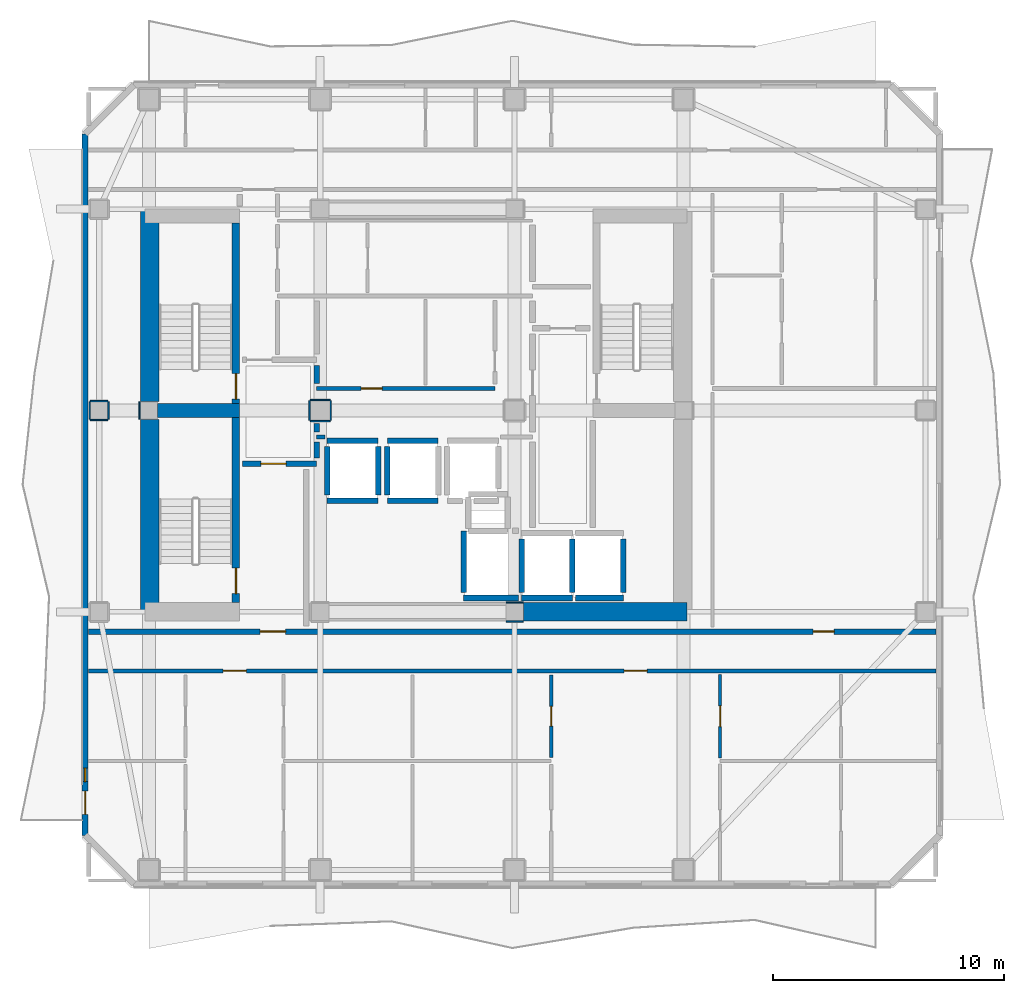
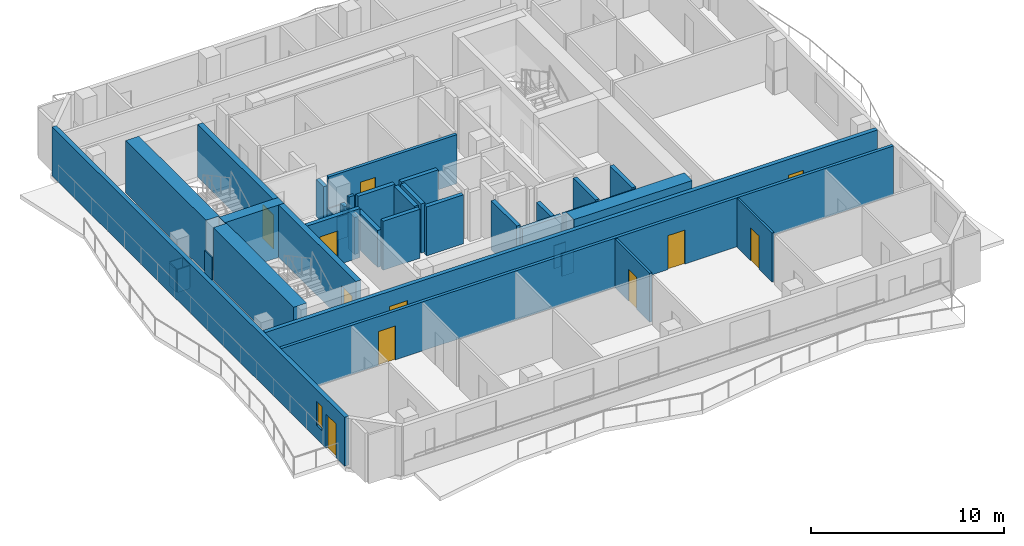
# One storey, part 3 of 9: 42 walls, 11 doors, 1 window, 12 openings.
"""IFC4 building model written with IfcOpenShell, lengths in metres."""

from ifc_helpers import new_model, si_unit, direction, frame, frame_2d, origin, place, context, subcontext, project, spatial, rectangle, extrude, material, layer, layer_set, type_object, element, fill, save


model = new_model("IFC4")

# Units and contexts
model_context = context("Model", 3, precision=1e-05, world=origin(), true_north=direction((0.0, 1.0)))
body_context = subcontext(model_context, "Body", "Model", "MODEL_VIEW")
ifc_project = project(units=[si_unit("LENGTHUNIT", "METRE"), si_unit("AREAUNIT", "SQUARE_METRE"), si_unit("VOLUMEUNIT", "CUBIC_METRE"), si_unit("PLANEANGLEUNIT", "RADIAN"), si_unit("MASSUNIT", "GRAM", prefix="KILO")], contexts=[model_context])

# Site, building, storey
site_placement = place(None, origin())
site = spatial("IfcSite", under=ifc_project, at=site_placement, CompositionType="ELEMENT")
building_placement = place(site_placement, origin())
building = spatial("IfcBuilding", under=site, at=building_placement, Name="Solanera Arch Residences", CompositionType="ELEMENT")
storey_placement = place(building_placement, frame((0.0, 0.0, 216.719970703125)))
storey = spatial("IfcBuildingStorey", under=building, at=storey_placement, Name="L63", CompositionType="ELEMENT", Elevation=216.719970703125)

# Walls
ifc_material_1 = material(Name="Fire-Rated Gypsum Stud Partition", Category="gypsum")
ifc_layer_1 = layer(ifc_material_1, 0.06005859375)
ifc_layer_set_1 = layer_set([ifc_layer_1], Name="Fire-Rated Gypsum Stud Partition")
wall_type_1 = type_object("IfcWallType", Name="Column Acoustic Furring Wall 60", PredefinedType="PARTITIONING", material=ifc_layer_set_1)
for number, where, z_axis, x_axis, name in (
    (1, (28.8330078125, 21.593017578125, 0.0), (0.0, 0.0, 1.0), (1.0, 0.0, 0.0), "L63 Column Furring 2S"),
    (2, (28.8330078125, 22.406982421875, 0.0), (0.0, 0.0, 1.0), (1.0, 0.0, 0.0), "L63 Column Furring 2N"),
):
    element("IfcWall", number, at=place(storey_placement, frame(where, z_axis=z_axis, x_axis=x_axis)), inside=storey, type_object=wall_type_1, Name=name, PredefinedType="PARTITIONING", context=body_context, shape_type="SweptSolid", body=[
        extrude(rectangle(XDim=0.73388671875, YDim=0.06005859375, at=frame_2d((0.366943359375, 0.0))), origin(), (0.0, 0.0, 1.0), 1.449951171875),
    ])
wall_1_placement = place(storey_placement, frame((12.992919921875, 30.324951171875, 0.0), z_axis=(0.0, 0.0, 1.0), x_axis=(0.0, 1.0, 0.0)))
element("IfcWall", 3, at=wall_1_placement, inside=storey, type_object=wall_type_1, Name="L63 Column Furring 5W", PredefinedType="PARTITIONING", context=body_context, shape_type="SweptSolid", body=[
    extrude(rectangle(XDim=0.75, YDim=0.06005859375, at=frame_2d((0.375, 0.0))), origin(), (0.0, 0.0, 1.0), 1.449951171875),
])
for number, where, z_axis, x_axis, name in (
    (4, (20.375, 30.242919921875, 0.0), (0.0, 0.0, 1.0), (1.0, 0.0, 0.0), "L63 Column Furring 7S"),
    (5, (20.375, 31.156982421875, 0.0), (0.0, 0.0, 1.0), (1.0, 0.0, 0.0), "L63 Column Furring 7N"),
    (6, (20.343017578125, 30.27490234375, 0.0), (0.0, 0.0, 1.0), (0.0, 1.0, 0.0), "L63 Column Furring 7W"),
    (7, (21.257080078125, 30.27490234375, 0.0), (0.0, 0.0, 1.0), (0.0, 1.0, 0.0), "L63 Column Furring 7E"),
):
    element("IfcWall", number, at=place(storey_placement, frame(where, z_axis=z_axis, x_axis=x_axis)), inside=storey, type_object=wall_type_1, Name=name, PredefinedType="PARTITIONING", context=body_context, shape_type="SweptSolid", body=[
        extrude(rectangle(XDim=0.85009765625, YDim=0.06005859375, at=frame_2d((0.425048828125, 0.0))), origin(), (0.0, 0.0, 1.0), 1.449951171875),
    ])
for number, where, z_axis, x_axis, name in (
    (8, (10.875, 30.29296875, 0.0), (0.0, 0.0, 1.0), (1.0, 0.0, 0.0), "L63 Column Furring 19S"),
    (9, (10.875, 31.10693359375, 0.0), (0.0, 0.0, 1.0), (1.0, 0.0, 0.0), "L63 Column Furring 19N"),
    (10, (10.843017578125, 30.324951171875, 0.0), (0.0, 0.0, 1.0), (0.0, 1.0, 0.0), "L63 Column Furring 19W"),
    (11, (11.656982421875, 30.324951171875, 0.0), (0.0, 0.0, 1.0), (0.0, 1.0, 0.0), "L63 Column Furring 19E"),
):
    element("IfcWall", number, at=place(storey_placement, frame(where, z_axis=z_axis, x_axis=x_axis)), inside=storey, type_object=wall_type_1, Name=name, PredefinedType="PARTITIONING", context=body_context, shape_type="SweptSolid", body=[
        extrude(rectangle(XDim=0.75, YDim=0.06005859375, at=frame_2d((0.375, 0.0))), origin(), (0.0, 0.0, 1.0), 1.449951171875),
    ])

# Wall, opening, door
ifc_material_2 = material(Name="Concrete C40/50 (f'c = 45 MPa)", Category="concrete")
ifc_layer_2 = layer(ifc_material_2, 0.320068359375)
ifc_layer_set_2 = layer_set([ifc_layer_2], Name="Concrete C40/50 (f'c = 45 MPa)")
wall_type_2 = type_object("IfcWallType", Name="Core Shear Wall CW-320", PredefinedType="SHEAR", material=ifc_layer_set_2)
wall_2_placement = place(storey_placement, frame((17.159912109375, 31.0, 0.0), z_axis=(0.0, 0.0, 1.0), x_axis=(0.0, 1.0, 0.0)))
wall_2 = element("IfcWall", 12, at=wall_2_placement, inside=storey, type_object=wall_type_2, Name="L63 Stair ST-T1 East Shear Wall", PredefinedType="SHEAR", context=body_context, shape_type="SweptSolid", body=[
    extrude(rectangle(XDim=7.800048828125, YDim=0.320068359375, at=frame_2d((3.89990234375, 0.0))), origin(), (0.0, 0.0, 1.0), 3.320068359375),
])
opening_1_placement = place(wall_2_placement, frame((0.18994140625, 0.0, 0.0)))
opening_1 = element("IfcOpeningElement", 13, at=opening_1_placement, cuts=wall_2, Name="Opening DF-01", PredefinedType="OPENING", context=body_context, shape_type="SweptSolid", body=[
    extrude(rectangle(XDim=1.10009765625, YDim=2.14990234375, at=frame_2d((0.550048828125, 1.074951171875))), frame((0.0, 0.169921875, 0.0), z_axis=(0.0, -1.0, 0.0), x_axis=(1.0, 0.0, 0.0)), (0.0, 0.0, 1.0), 0.3401),
])
ifc_material_3 = material(Name="Fire-Rated Architectural Hardwood", Category="wood")
door_type_1 = type_object("IfcDoorType", Name="Stair Exit Fire Door DF-01", OperationType="NOTDEFINED", PredefinedType="DOOR", material=ifc_material_3)
door_1_placement = place(opening_1_placement, origin())
door_1 = element("IfcDoor", 14, at=door_1_placement, inside=storey, type_object=door_type_1, Name="DR-L63-STAIR-ST-T1", OperationType="SINGLE_SWING_RIGHT", OverallHeight=2.14990234375, OverallWidth=1.10009765625, PredefinedType="DOOR", context=body_context, shape_type="SweptSolid", body=[
    extrude(rectangle(XDim=1.10009765625, YDim=2.14990234375, at=frame_2d((0.550048828125, 1.074951171875))), frame((0.0, 0.02490234375, 0.0), z_axis=(0.0, -1.0, 0.0), x_axis=(1.0, 0.0, 0.0)), (0.0, 0.0, 1.0), 0.050048828125),
])
fill(opening_1, door_1)

wall_3_placement = place(storey_placement, frame((17.159912109375, 22.39990234375, 0.0), z_axis=(0.0, 0.0, 1.0), x_axis=(0.0, 1.0, 0.0)))
wall_3 = element("IfcWall", 15, at=wall_3_placement, inside=storey, type_object=wall_type_2, Name="L63 Stair ST-T3 East Shear Wall", PredefinedType="SHEAR", context=body_context, shape_type="SweptSolid", body=[
    extrude(rectangle(XDim=8.0, YDim=0.320068359375, at=frame_2d((4.0, 0.0))), origin(), (0.0, 0.0, 1.0), 3.320068359375),
])
opening_2_placement = place(wall_3_placement, frame((0.389892578125, 0.0, 0.0)))
opening_2 = element("IfcOpeningElement", 16, at=opening_2_placement, cuts=wall_3, Name="Opening DF-01", PredefinedType="OPENING", context=body_context, shape_type="SweptSolid", body=[
    extrude(rectangle(XDim=1.10009765625, YDim=2.14990234375, at=frame_2d((0.550048828125, 1.074951171875))), frame((0.0, 0.169921875, 0.0), z_axis=(0.0, -1.0, 0.0), x_axis=(1.0, 0.0, 0.0)), (0.0, 0.0, 1.0), 0.3401),
])
door_2_placement = place(opening_2_placement, origin())
door_2 = element("IfcDoor", 17, at=door_2_placement, inside=storey, type_object=door_type_1, Name="DR-L63-STAIR-ST-T3", OperationType="SINGLE_SWING_RIGHT", OverallHeight=2.14990234375, OverallWidth=1.10009765625, PredefinedType="DOOR", context=body_context, shape_type="SweptSolid", body=[
    extrude(rectangle(XDim=1.10009765625, YDim=2.14990234375, at=frame_2d((0.550048828125, 1.074951171875))), frame((0.0, 0.02490234375, 0.0), z_axis=(0.0, -1.0, 0.0), x_axis=(1.0, 0.0, 0.0)), (0.0, 0.0, 1.0), 0.050048828125),
])
fill(opening_2, door_2)

# Walls
ifc_material_4 = material(Name="Concrete C40/50 (f'c = 45 MPa)", Category="concrete")
ifc_layer_3 = layer(ifc_material_4, 0.60009765625)
ifc_layer_set_3 = layer_set([ifc_layer_3], Name="Concrete C40/50 (f'c = 45 MPa)")
wall_type_3 = type_object("IfcWallType", Name="Core Shear Wall CW-600", PredefinedType="SHEAR", material=ifc_layer_set_3)
wall_4_placement = place(storey_placement, frame((13.780029296875, 30.699951171875, 0.0), z_axis=(0.0, 0.0, 1.0), x_axis=(1.0, 0.0, 0.0)))
element("IfcWall", 18, at=wall_4_placement, inside=storey, type_object=wall_type_3, Name="L63 West Stair Divider Shear Wall", PredefinedType="SHEAR", context=body_context, shape_type="SweptSolid", body=[
    extrude(rectangle(XDim=3.5400390625, YDim=0.60009765625, at=frame_2d((1.77001953125, 0.0))), origin(), (0.0, 0.0, 1.0), 3.320068359375),
])
ifc_material_5 = material(Name="Concrete C40/50 (f'c = 45 MPa)", Category="concrete")
ifc_layer_4 = layer(ifc_material_5, 0.800048828125)
ifc_layer_set_4 = layer_set([ifc_layer_4], Name="Concrete C40/50 (f'c = 45 MPa)")
wall_type_4 = type_object("IfcWallType", Name="Core Shear Wall CW-800", PredefinedType="SHEAR", material=ifc_layer_set_4)
wall_5_placement = place(storey_placement, frame((13.43994140625, 22.0, 0.0), z_axis=(0.0, 0.0, 1.0), x_axis=(0.0, 1.0, 0.0)))
element("IfcWall", 19, at=wall_5_placement, inside=storey, type_object=wall_type_4, Name="L63 West Core South Shear Wall", PredefinedType="SHEAR", context=body_context, shape_type="SweptSolid", body=[
    extrude(rectangle(XDim=8.320068359375, YDim=0.800048828125, at=frame_2d((4.16015625, 0.0))), origin(), (0.0, 0.0, 1.0), 3.320068359375),
])
wall_6_placement = place(storey_placement, frame((13.43994140625, 31.080078125, 0.0), z_axis=(0.0, 0.0, 1.0), x_axis=(0.0, 1.0, 0.0)))
element("IfcWall", 20, at=wall_6_placement, inside=storey, type_object=wall_type_4, Name="L63 West Core North Shear Wall", PredefinedType="SHEAR", context=body_context, shape_type="SweptSolid", body=[
    extrude(rectangle(XDim=8.31982421875, YDim=0.800048828125, at=frame_2d((4.159912109375, 0.0))), origin(), (0.0, 0.0, 1.0), 3.320068359375),
])
wall_7_placement = place(storey_placement, frame((29.580078125, 22.0, 0.0), z_axis=(0.0, 0.0, 1.0), x_axis=(1.0, 0.0, 0.0)))
element("IfcWall", 21, at=wall_7_placement, inside=storey, type_object=wall_type_4, Name="L63 South-East Core Shear Wall", PredefinedType="SHEAR", context=body_context, shape_type="SweptSolid", body=[
    extrude(rectangle(XDim=7.079833984375, YDim=0.800048828125, at=frame_2d((3.5400390625, 0.0))), origin(), (0.0, 0.0, 1.0), 3.320068359375),
])

# Wall, openings, doors
ifc_material_6 = material(Name="Autoclaved Aerated Concrete Blockwork", Category="masonry")
ifc_layer_5 = layer(ifc_material_6, 0.179931640625)
ifc_layer_set_5 = layer_set([ifc_layer_5], Name="Autoclaved Aerated Concrete Blockwork")
wall_type_5 = type_object("IfcWallType", Name="Corridor Fire Partition 180", PredefinedType="PARTITIONING", material=ifc_layer_set_5)
wall_8_placement = place(storey_placement, frame((10.787109375, 19.449951171875, 0.0), z_axis=(0.0, 0.0, 1.0), x_axis=(1.0, 0.0, 0.0)))
wall_8 = element("IfcWall", 22, at=wall_8_placement, inside=storey, type_object=wall_type_5, Name="L63 Interior Partition H6", PredefinedType="PARTITIONING", context=body_context, shape_type="SweptSolid", body=[
    extrude(rectangle(XDim=36.6259765625, YDim=0.179931640625, at=frame_2d((18.31298828125, 0.0))), origin(), (0.0, 0.0, 1.0), 3.10009765625),
])
opening_3_placement = place(wall_8_placement, frame((5.820068359375, 0.0, 0.0)))
opening_3 = element("IfcOpeningElement", 23, at=opening_3_placement, cuts=wall_8, Name="Opening DI-01", PredefinedType="OPENING", context=body_context, shape_type="SweptSolid", body=[
    extrude(rectangle(XDim=1.0, YDim=2.14990234375, at=frame_2d((0.5, 1.074951171875))), frame((0.0, 0.10009765625, 0.0), z_axis=(0.0, -1.0, 0.0), x_axis=(1.0, 0.0, 0.0)), (0.0, 0.0, 1.0), 0.1999),
])
opening_4_placement = place(wall_8_placement, frame((23.14306640625, 0.0, 0.0)))
opening_4 = element("IfcOpeningElement", 24, at=opening_4_placement, cuts=wall_8, Name="Opening DI-01", PredefinedType="OPENING", context=body_context, shape_type="SweptSolid", body=[
    extrude(rectangle(XDim=1.0, YDim=2.14990234375, at=frame_2d((0.5, 1.074951171875))), frame((0.0, 0.10009765625, 0.0), z_axis=(0.0, -1.0, 0.0), x_axis=(1.0, 0.0, 0.0)), (0.0, 0.0, 1.0), 0.1999),
])
ifc_material_7 = material(Name="Fire-Rated Architectural Hardwood", Category="wood")
door_type_2 = type_object("IfcDoorType", Name="Unit Entrance Fire Door DI-01", OperationType="NOTDEFINED", PredefinedType="DOOR", material=ifc_material_7)
door_3_placement = place(opening_3_placement, origin())
door_3 = element("IfcDoor", 25, at=door_3_placement, inside=storey, type_object=door_type_2, Name="DR-L63-IN-014", OperationType="SINGLE_SWING_LEFT", OverallHeight=2.14990234375, OverallWidth=1.0, PredefinedType="DOOR", context=body_context, shape_type="SweptSolid", body=[
    extrude(rectangle(XDim=1.0, YDim=2.14990234375, at=frame_2d((0.5, 1.074951171875))), frame((0.0, 0.02490234375, 0.0), z_axis=(0.0, -1.0, 0.0), x_axis=(1.0, 0.0, 0.0)), (0.0, 0.0, 1.0), 0.050048828125),
])
fill(opening_3, door_3)
door_4_placement = place(opening_4_placement, origin())
door_4 = element("IfcDoor", 26, at=door_4_placement, inside=storey, type_object=door_type_2, Name="DR-L63-IN-019", OperationType="SINGLE_SWING_RIGHT", OverallHeight=2.14990234375, OverallWidth=1.0, PredefinedType="DOOR", context=body_context, shape_type="SweptSolid", body=[
    extrude(rectangle(XDim=1.0, YDim=2.14990234375, at=frame_2d((0.5, 1.074951171875))), frame((0.0, 0.02490234375, 0.0), z_axis=(0.0, -1.0, 0.0), x_axis=(1.0, 0.0, 0.0)), (0.0, 0.0, 1.0), 0.050048828125),
])
fill(opening_4, door_4)

# Wall
wall_9_placement = place(storey_placement, frame((20.64990234375, 29.550048828125, 0.0), z_axis=(0.0, 0.0, 1.0), x_axis=(1.0, 0.0, 0.0)))
element("IfcWall", 27, at=wall_9_placement, inside=storey, type_object=wall_type_5, Name="L63 Interior Partition H7 1", PredefinedType="PARTITIONING", context=body_context, shape_type="SweptSolid", body=[
    extrude(rectangle(XDim=0.357177734375, YDim=0.179931640625, at=frame_2d((0.1787109375, 0.0))), origin(), (0.0, 0.0, 1.0), 3.10009765625),
])

# Wall, opening, door
wall_10_placement = place(storey_placement, frame((20.64990234375, 31.64990234375, 0.0), z_axis=(0.0, 0.0, 1.0), x_axis=(1.0, 0.0, 0.0)))
wall_10 = element("IfcWall", 28, at=wall_10_placement, inside=storey, type_object=wall_type_5, Name="L63 Interior Partition H8", PredefinedType="PARTITIONING", context=body_context, shape_type="SweptSolid", body=[
    extrude(rectangle(XDim=7.7001953125, YDim=0.179931640625, at=frame_2d((3.85009765625, 0.0))), origin(), (0.0, 0.0, 1.0), 3.10009765625),
])
opening_5_placement = place(wall_10_placement, frame((1.924072265625, 0.0, 0.0)))
opening_5 = element("IfcOpeningElement", 29, at=opening_5_placement, cuts=wall_10, Name="Opening DI-02", PredefinedType="OPENING", context=body_context, shape_type="SweptSolid", body=[
    extrude(rectangle(XDim=0.89990234375, YDim=2.10009765625, at=frame_2d((0.449951171875, 1.050048828125))), frame((0.0, 0.10009765625, 0.0), z_axis=(0.0, -1.0, 0.0), x_axis=(1.0, 0.0, 0.0)), (0.0, 0.0, 1.0), 0.1999),
])
ifc_material_8 = material(Name="Fire-Rated Architectural Hardwood", Category="wood")
door_type_3 = type_object("IfcDoorType", Name="Suite Room Swing Door DI-02", OperationType="NOTDEFINED", PredefinedType="DOOR", material=ifc_material_8)
door_5_placement = place(opening_5_placement, origin())
door_5 = element("IfcDoor", 30, at=door_5_placement, inside=storey, type_object=door_type_3, Name="DR-L63-IN-012", OperationType="SINGLE_SWING_LEFT", OverallHeight=2.10009765625, OverallWidth=0.89990234375, PredefinedType="DOOR", context=body_context, shape_type="SweptSolid", body=[
    extrude(rectangle(XDim=0.89990234375, YDim=2.10009765625, at=frame_2d((0.449951171875, 1.050048828125))), frame((0.0, 0.02490234375, 0.0), z_axis=(0.0, -1.0, 0.0), x_axis=(1.0, 0.0, 0.0)), (0.0, 0.0, 1.0), 0.050048828125),
])
fill(opening_5, door_5)

# Wall, openings, door, window
ifc_material_9 = material(Name="Precast Concrete C35/45", Category="concrete")
ifc_layer_6 = layer(ifc_material_9, 0.260009765625)
ifc_layer_set_6 = layer_set([ifc_layer_6], Name="Precast Concrete C35/45")
wall_type_6 = type_object("IfcWallType", Name="Exterior Wall Precast Masonry-Frame 260", PredefinedType="STANDARD", material=ifc_layer_set_6)
wall_11_placement = place(storey_placement, frame((10.64501953125, 12.344970703125, 0.0), z_axis=(0.0, 0.0, 1.0), x_axis=(0.0, 1.0, 0.0)))
wall_11 = element("IfcWall", 31, at=wall_11_placement, inside=storey, type_object=wall_type_6, Name="L63 Tower Exterior Precast Masonry-Frame Wall W", PredefinedType="STANDARD", context=body_context, shape_type="SweptSolid", body=[
    extrude(rectangle(XDim=30.31005859375, YDim=0.260009765625, at=frame_2d((15.155029296875, 0.0))), origin(), (0.0, 0.0, 1.0), 3.10009765625),
])
opening_6_placement = place(wall_11_placement, frame((0.909912109375, 0.0, 0.0)))
opening_6 = element("IfcOpeningElement", 32, at=opening_6_placement, cuts=wall_11, Name="Opening DB-01", PredefinedType="OPENING", context=body_context, shape_type="SweptSolid", body=[
    extrude(rectangle(XDim=1.0, YDim=2.14990234375, at=frame_2d((0.5, 1.074951171875))), frame((0.0, 0.139892578125, 0.0), z_axis=(0.0, -1.0, 0.0), x_axis=(1.0, 0.0, 0.0)), (0.0, 0.0, 1.0), 0.28),
])
opening_7_placement = place(wall_11_placement, frame((2.322021484375, 0.0, 0.85009765625)))
opening_7 = element("IfcOpeningElement", 33, at=opening_7_placement, cuts=wall_11, Name="Opening W-14", PredefinedType="OPENING", context=body_context, shape_type="SweptSolid", body=[
    extrude(rectangle(XDim=0.580078125, YDim=1.5, at=frame_2d((0.2900390625, 0.75))), frame((0.0, 0.139892578125, 0.0), z_axis=(0.0, -1.0, 0.0), x_axis=(1.0, 0.0, 0.0)), (0.0, 0.0, 1.0), 0.28),
])
ifc_material_10 = material(Name="Anodised Aluminium Alloy 6063-T6", Category="aluminium")
door_type_4 = type_object("IfcDoorType", Name="Glazed Balcony Swing Door DB-01", OperationType="NOTDEFINED", PredefinedType="DOOR", material=ifc_material_10)
door_6_placement = place(opening_6_placement, origin())
door_6 = element("IfcDoor", 34, at=door_6_placement, inside=storey, type_object=door_type_4, Name="DR-L63-OUT-04", OperationType="SINGLE_SWING_RIGHT", OverallHeight=2.14990234375, OverallWidth=1.0, PredefinedType="DOOR", context=body_context, shape_type="SweptSolid", body=[
    extrude(rectangle(XDim=1.0, YDim=2.14990234375, at=frame_2d((0.5, 1.074951171875))), frame((0.0, 0.02490234375, 0.0), z_axis=(0.0, -1.0, 0.0), x_axis=(1.0, 0.0, 0.0)), (0.0, 0.0, 1.0), 0.050048828125),
])
fill(opening_6, door_6)
ifc_material_11 = material(Name="Double Glazed Low-E Laminated Glass", Category="glass")
window_type = type_object("IfcWindowType", Name="Punched Window W-14", PartitioningType="SINGLE_PANEL", PredefinedType="WINDOW", material=ifc_material_11)
window_placement = place(opening_7_placement, origin())
window = element("IfcWindow", 35, at=window_placement, inside=storey, type_object=window_type, Name="L63 6301-BR1 Punched Window", OverallHeight=1.5, OverallWidth=0.580078125, PartitioningType="SINGLE_PANEL", PredefinedType="WINDOW", context=body_context, shape_type="SweptSolid", body=[
    extrude(rectangle(XDim=0.580078125, YDim=1.5, at=frame_2d((0.2900390625, 0.75))), frame((0.0, 0.030029296875, 0.0), z_axis=(0.0, -1.0, 0.0), x_axis=(1.0, 0.0, 0.0)), (0.0, 0.0, 1.0), 0.06005859375),
])
fill(opening_7, window)

# Walls
ifc_material_12 = material(Name="Autoclaved Aerated Concrete Blockwork", Category="masonry")
ifc_layer_7 = layer(ifc_material_12, 0.239990234375)
ifc_layer_set_7 = layer_set([ifc_layer_7], Name="Autoclaved Aerated Concrete Blockwork")
wall_type_7 = type_object("IfcWallType", Name="Shaft Wall Fire-Rated 240", PredefinedType="PARTITIONING", material=ifc_layer_set_7)
for number, where, z_axis, x_axis, name in (
    (36, (21.10009765625, 26.800048828125, 0.0), (0.0, 0.0, 1.0), (1.0, 0.0, 0.0), "L63 Lift PL-H1 Hoistway Wall S"),
    (37, (21.10009765625, 29.39990234375, 0.0), (0.0, 0.0, 1.0), (1.0, 0.0, 0.0), "L63 Lift PL-H1 Hoistway Wall N"),
):
    element("IfcWall", number, at=place(storey_placement, frame(where, z_axis=z_axis, x_axis=x_axis)), inside=storey, type_object=wall_type_7, Name=name, PredefinedType="PARTITIONING", context=body_context, shape_type="SweptSolid", body=[
        extrude(rectangle(XDim=2.199951171875, YDim=0.239990234375, at=frame_2d((1.10009765625, 0.0))), origin(), (0.0, 0.0, 1.0), 3.10009765625),
    ])
wall_12_placement = place(storey_placement, frame((21.10009765625, 27.048095703125, 0.0), z_axis=(0.0, 0.0, 1.0), x_axis=(0.0, 1.0, 0.0)))
element("IfcWall", 38, at=wall_12_placement, inside=storey, type_object=wall_type_7, Name="L63 Lift PL-H1 Hoistway Wall W", PredefinedType="PARTITIONING", context=body_context, shape_type="SweptSolid", body=[
    extrude(rectangle(XDim=2.10400390625, YDim=0.239990234375, at=frame_2d((1.052001953125, 0.0))), origin(), (0.0, 0.0, 1.0), 2.3349609375),
])
wall_13_placement = place(storey_placement, frame((23.300048828125, 27.048095703125, 0.0), z_axis=(0.0, 0.0, 1.0), x_axis=(0.0, 1.0, 0.0)))
element("IfcWall", 39, at=wall_13_placement, inside=storey, type_object=wall_type_7, Name="L63 Lift PL-H1 Hoistway Wall E", PredefinedType="PARTITIONING", context=body_context, shape_type="SweptSolid", body=[
    extrude(rectangle(XDim=2.10400390625, YDim=0.239990234375, at=frame_2d((1.052001953125, 0.0))), origin(), (0.0, 0.0, 1.0), 3.10009765625),
])
for number, where, z_axis, x_axis, name in (
    (40, (23.699951171875, 26.800048828125, 0.0), (0.0, 0.0, 1.0), (1.0, 0.0, 0.0), "L63 Lift PL-H2 Hoistway Wall S"),
    (41, (23.699951171875, 29.39990234375, 0.0), (0.0, 0.0, 1.0), (1.0, 0.0, 0.0), "L63 Lift PL-H2 Hoistway Wall N"),
):
    element("IfcWall", number, at=place(storey_placement, frame(where, z_axis=z_axis, x_axis=x_axis)), inside=storey, type_object=wall_type_7, Name=name, PredefinedType="PARTITIONING", context=body_context, shape_type="SweptSolid", body=[
        extrude(rectangle(XDim=2.199951171875, YDim=0.239990234375, at=frame_2d((1.10009765625, 0.0))), origin(), (0.0, 0.0, 1.0), 3.10009765625),
    ])
wall_14_placement = place(storey_placement, frame((23.699951171875, 27.048095703125, 0.0), z_axis=(0.0, 0.0, 1.0), x_axis=(0.0, 1.0, 0.0)))
element("IfcWall", 42, at=wall_14_placement, inside=storey, type_object=wall_type_7, Name="L63 Lift PL-H2 Hoistway Wall W", PredefinedType="PARTITIONING", context=body_context, shape_type="SweptSolid", body=[
    extrude(rectangle(XDim=2.10400390625, YDim=0.239990234375, at=frame_2d((1.052001953125, 0.0))), origin(), (0.0, 0.0, 1.0), 3.10009765625),
])
wall_15_placement = place(storey_placement, frame((29.5, 22.60009765625, 0.0), z_axis=(0.0, 0.0, 1.0), x_axis=(1.0, 0.0, 0.0)))
element("IfcWall", 43, at=wall_15_placement, inside=storey, type_object=wall_type_7, Name="L63 Lift FFL-1 Hoistway Wall S", PredefinedType="PARTITIONING", context=body_context, shape_type="SweptSolid", body=[
    extrude(rectangle(XDim=2.199951171875, YDim=0.239990234375, at=frame_2d((1.10009765625, 0.0))), origin(), (0.0, 0.0, 1.0), 3.10009765625),
])
wall_16_placement = place(storey_placement, frame((29.5, 22.847900390625, 0.0), z_axis=(0.0, 0.0, 1.0), x_axis=(0.0, 1.0, 0.0)))
element("IfcWall", 44, at=wall_16_placement, inside=storey, type_object=wall_type_7, Name="L63 Lift FFL-1 Hoistway Wall W", PredefinedType="PARTITIONING", context=body_context, shape_type="SweptSolid", body=[
    extrude(rectangle(XDim=2.30419921875, YDim=0.239990234375, at=frame_2d((1.152099609375, 0.0))), origin(), (0.0, 0.0, 1.0), 2.3349609375),
])
wall_17_placement = place(storey_placement, frame((31.699951171875, 22.847900390625, 0.0), z_axis=(0.0, 0.0, 1.0), x_axis=(0.0, 1.0, 0.0)))
element("IfcWall", 45, at=wall_17_placement, inside=storey, type_object=wall_type_7, Name="L63 Lift FFL-1 Hoistway Wall E", PredefinedType="PARTITIONING", context=body_context, shape_type="SweptSolid", body=[
    extrude(rectangle(XDim=2.30419921875, YDim=0.239990234375, at=frame_2d((1.152099609375, 0.0))), origin(), (0.0, 0.0, 1.0), 3.10009765625),
])
wall_18_placement = place(storey_placement, frame((31.827880859375, 22.60009765625, 0.0), z_axis=(0.0, 0.0, 1.0), x_axis=(1.0, 0.0, 0.0)))
element("IfcWall", 46, at=wall_18_placement, inside=storey, type_object=wall_type_7, Name="L63 Lift FFL-2 Hoistway Wall S", PredefinedType="PARTITIONING", context=body_context, shape_type="SweptSolid", body=[
    extrude(rectangle(XDim=2.072021484375, YDim=0.239990234375, at=frame_2d((1.0361328125, 0.0))), origin(), (0.0, 0.0, 1.0), 3.10009765625),
])
wall_19_placement = place(storey_placement, frame((33.89990234375, 22.847900390625, 0.0), z_axis=(0.0, 0.0, 1.0), x_axis=(0.0, 1.0, 0.0)))
element("IfcWall", 47, at=wall_19_placement, inside=storey, type_object=wall_type_7, Name="L63 Lift FFL-2 Hoistway Wall E", PredefinedType="PARTITIONING", context=body_context, shape_type="SweptSolid", body=[
    extrude(rectangle(XDim=2.30419921875, YDim=0.239990234375, at=frame_2d((1.152099609375, 0.0))), origin(), (0.0, 0.0, 1.0), 3.10009765625),
])
wall_20_placement = place(storey_placement, frame((27.0, 22.60009765625, 0.0), z_axis=(0.0, 0.0, 1.0), x_axis=(1.0, 0.0, 0.0)))
element("IfcWall", 48, at=wall_20_placement, inside=storey, type_object=wall_type_7, Name="L63 Lift SVL-1 Hoistway Wall S", PredefinedType="PARTITIONING", context=body_context, shape_type="SweptSolid", body=[
    extrude(rectangle(XDim=2.3720703125, YDim=0.239990234375, at=frame_2d((1.18603515625, 0.0))), origin(), (0.0, 0.0, 1.0), 3.10009765625),
])
wall_21_placement = place(storey_placement, frame((27.0, 22.847900390625, 0.0), z_axis=(0.0, 0.0, 1.0), x_axis=(0.0, 1.0, 0.0)))
element("IfcWall", 49, at=wall_21_placement, inside=storey, type_object=wall_type_7, Name="L63 Lift SVL-1 Hoistway Wall W", PredefinedType="PARTITIONING", context=body_context, shape_type="SweptSolid", body=[
    extrude(rectangle(XDim=2.650146484375, YDim=0.239990234375, at=frame_2d((1.3251953125, 0.0))), origin(), (0.0, 0.0, 1.0), 3.10009765625),
])

# Wall, openings, doors
wall_22_placement = place(storey_placement, frame((10.787109375, 21.14990234375, 0.0), z_axis=(0.0, 0.0, 1.0), x_axis=(1.0, 0.0, 0.0)))
wall_22 = element("IfcWall", 50, at=wall_22_placement, inside=storey, type_object=wall_type_7, Name="L63 Interior Partition H1", PredefinedType="PARTITIONING", context=body_context, shape_type="SweptSolid", body=[
    extrude(rectangle(XDim=36.6259765625, YDim=0.239990234375, at=frame_2d((18.31298828125, 0.0))), origin(), (0.0, 0.0, 1.0), 3.10009765625),
])
opening_8_placement = place(wall_22_placement, frame((7.423095703125, 0.0, 0.0)))
opening_8 = element("IfcOpeningElement", 51, at=opening_8_placement, cuts=wall_22, Name="Opening DF-02", PredefinedType="OPENING", context=body_context, shape_type="SweptSolid", body=[
    extrude(rectangle(XDim=1.10009765625, YDim=2.14990234375, at=frame_2d((0.550048828125, 1.074951171875))), frame((0.0, 0.1298828125, 0.0), z_axis=(0.0, -1.0, 0.0), x_axis=(1.0, 0.0, 0.0)), (0.0, 0.0, 1.0), 0.26),
])
opening_9_placement = place(wall_22_placement, frame((31.31396484375, 0.0, 0.0)))
opening_9 = element("IfcOpeningElement", 52, at=opening_9_placement, cuts=wall_22, Name="Opening DI-02", PredefinedType="OPENING", context=body_context, shape_type="SweptSolid", body=[
    extrude(rectangle(XDim=0.89990234375, YDim=2.10009765625, at=frame_2d((0.449951171875, 1.050048828125))), frame((0.0, 0.1298828125, 0.0), z_axis=(0.0, -1.0, 0.0), x_axis=(1.0, 0.0, 0.0)), (0.0, 0.0, 1.0), 0.26),
])
ifc_material_13 = material(Name="Fire-Rated Architectural Hardwood", Category="wood")
door_type_5 = type_object("IfcDoorType", Name="Firefighting Lobby Fire Door DF-02", OperationType="NOTDEFINED", PredefinedType="DOOR", material=ifc_material_13)
door_7_placement = place(opening_8_placement, origin())
door_7 = element("IfcDoor", 53, at=door_7_placement, inside=storey, type_object=door_type_5, Name="DR-L63-IN-008", OperationType="SINGLE_SWING_LEFT", OverallHeight=2.14990234375, OverallWidth=1.10009765625, PredefinedType="DOOR", context=body_context, shape_type="SweptSolid", body=[
    extrude(rectangle(XDim=1.10009765625, YDim=2.14990234375, at=frame_2d((0.550048828125, 1.074951171875))), frame((0.0, 0.02490234375, 0.0), z_axis=(0.0, -1.0, 0.0), x_axis=(1.0, 0.0, 0.0)), (0.0, 0.0, 1.0), 0.050048828125),
])
fill(opening_8, door_7)
door_8_placement = place(opening_9_placement, origin())
door_8 = element("IfcDoor", 54, at=door_8_placement, inside=storey, type_object=door_type_3, Name="DR-L63-IN-032", OperationType="SINGLE_SWING_LEFT", OverallHeight=2.10009765625, OverallWidth=0.89990234375, PredefinedType="DOOR", context=body_context, shape_type="SweptSolid", body=[
    extrude(rectangle(XDim=0.89990234375, YDim=2.10009765625, at=frame_2d((0.449951171875, 1.050048828125))), frame((0.0, 0.02490234375, 0.0), z_axis=(0.0, -1.0, 0.0), x_axis=(1.0, 0.0, 0.0)), (0.0, 0.0, 1.0), 0.050048828125),
])
fill(opening_9, door_8)

# Wall, opening, door
wall_23_placement = place(storey_placement, frame((17.449951171875, 28.39990234375, 0.0), z_axis=(0.0, 0.0, 1.0), x_axis=(1.0, 0.0, 0.0)))
wall_23 = element("IfcWall", 55, at=wall_23_placement, inside=storey, type_object=wall_type_7, Name="L63 Interior Partition H3", PredefinedType="PARTITIONING", context=body_context, shape_type="SweptSolid", body=[
    extrude(rectangle(XDim=3.199951171875, YDim=0.239990234375, at=frame_2d((1.60009765625, 0.0))), origin(), (0.0, 0.0, 1.0), 3.10009765625),
])
opening_10_placement = place(wall_23_placement, frame((0.783935546875, 0.0, 0.0)))
opening_10 = element("IfcOpeningElement", 56, at=opening_10_placement, cuts=wall_23, Name="Opening DF-02", PredefinedType="OPENING", context=body_context, shape_type="SweptSolid", body=[
    extrude(rectangle(XDim=1.10009765625, YDim=2.14990234375, at=frame_2d((0.550048828125, 1.074951171875))), frame((0.0, 0.1298828125, 0.0), z_axis=(0.0, -1.0, 0.0), x_axis=(1.0, 0.0, 0.0)), (0.0, 0.0, 1.0), 0.26),
])
door_9_placement = place(opening_10_placement, origin())
door_9 = element("IfcDoor", 57, at=door_9_placement, inside=storey, type_object=door_type_5, Name="DR-L63-IN-004", OperationType="SINGLE_SWING_LEFT", OverallHeight=2.14990234375, OverallWidth=1.10009765625, PredefinedType="DOOR", context=body_context, shape_type="SweptSolid", body=[
    extrude(rectangle(XDim=1.10009765625, YDim=2.14990234375, at=frame_2d((0.550048828125, 1.074951171875))), frame((0.0, 0.02490234375, 0.0), z_axis=(0.0, -1.0, 0.0), x_axis=(1.0, 0.0, 0.0)), (0.0, 0.0, 1.0), 0.050048828125),
])
fill(opening_10, door_9)

# Walls
wall_24_placement = place(storey_placement, frame((20.64990234375, 28.64794921875, 0.0), z_axis=(0.0, 0.0, 1.0), x_axis=(0.0, 1.0, 0.0)))
element("IfcWall", 58, at=wall_24_placement, inside=storey, type_object=wall_type_7, Name="L63 Interior Partition V3 1", PredefinedType="PARTITIONING", context=body_context, shape_type="SweptSolid", body=[
    extrude(rectangle(XDim=0.68408203125, YDim=0.239990234375, at=frame_2d((0.342041015625, 0.0))), origin(), (0.0, 0.0, 1.0), 2.3349609375),
])
wall_25_placement = place(storey_placement, frame((20.64990234375, 29.76806640625, 0.0), z_axis=(0.0, 0.0, 1.0), x_axis=(0.0, 1.0, 0.0)))
element("IfcWall", 59, at=wall_25_placement, inside=storey, type_object=wall_type_7, Name="L63 Interior Partition V3 2", PredefinedType="PARTITIONING", context=body_context, shape_type="SweptSolid", body=[
    extrude(rectangle(XDim=0.375, YDim=0.239990234375, at=frame_2d((0.1875, 0.0))), origin(), (0.0, 0.0, 1.0), 2.3349609375),
])
wall_26_placement = place(storey_placement, frame((20.64990234375, 31.867919921875, 0.0), z_axis=(0.0, 0.0, 1.0), x_axis=(0.0, 1.0, 0.0)))
element("IfcWall", 60, at=wall_26_placement, inside=storey, type_object=wall_type_7, Name="L63 Interior Partition V3 3", PredefinedType="PARTITIONING", context=body_context, shape_type="SweptSolid", body=[
    extrude(rectangle(XDim=0.7841796875, YDim=0.239990234375, at=frame_2d((0.39208984375, 0.0))), origin(), (0.0, 0.0, 1.0), 2.3349609375),
])

# Wall, opening, door
ifc_material_14 = material(Name="Fire-Rated Gypsum Stud Partition", Category="gypsum")
ifc_layer_8 = layer(ifc_material_14, 0.1201171875)
ifc_layer_set_8 = layer_set([ifc_layer_8], Name="Fire-Rated Gypsum Stud Partition")
wall_type_8 = type_object("IfcWallType", Name="Unit Drywall Partition 120", PredefinedType="PARTITIONING", material=ifc_layer_set_8)
wall_27_placement = place(storey_placement, frame((38.080078125, 15.697021484375, 0.0), z_axis=(0.0, 0.0, 1.0), x_axis=(0.0, 1.0, 0.0)))
wall_27 = element("IfcWall", 61, at=wall_27_placement, inside=storey, type_object=wall_type_8, Name="L63 Interior Partition V23 2", PredefinedType="PARTITIONING", context=body_context, shape_type="SweptSolid", body=[
    extrude(rectangle(XDim=3.594970703125, YDim=0.1201171875, at=frame_2d((1.79736328125, 0.0))), origin(), (0.0, 0.0, 1.0), 3.10009765625),
])
opening_11_placement = place(wall_27_placement, frame((1.344970703125, 0.0, 0.0)))
opening_11 = element("IfcOpeningElement", 62, at=opening_11_placement, cuts=wall_27, Name="Opening DI-02", PredefinedType="OPENING", context=body_context, shape_type="SweptSolid", body=[
    extrude(rectangle(XDim=0.89990234375, YDim=2.10009765625, at=frame_2d((0.449951171875, 1.050048828125))), frame((0.0, 0.070068359375, 0.0), z_axis=(0.0, -1.0, 0.0), x_axis=(1.0, 0.0, 0.0)), (0.0, 0.0, 1.0), 0.1401),
])
door_10_placement = place(opening_11_placement, origin())
door_10 = element("IfcDoor", 63, at=door_10_placement, inside=storey, type_object=door_type_3, Name="DR-L63-IN-022", OperationType="SINGLE_SWING_LEFT", OverallHeight=2.10009765625, OverallWidth=0.89990234375, PredefinedType="DOOR", context=body_context, shape_type="SweptSolid", body=[
    extrude(rectangle(XDim=0.89990234375, YDim=2.10009765625, at=frame_2d((0.449951171875, 1.050048828125))), frame((0.0, 0.02490234375, 0.0), z_axis=(0.0, -1.0, 0.0), x_axis=(1.0, 0.0, 0.0)), (0.0, 0.0, 1.0), 0.050048828125),
])
fill(opening_11, door_10)

ifc_material_15 = material(Name="Autoclaved Aerated Concrete Blockwork", Category="masonry")
ifc_layer_9 = layer(ifc_material_15, 0.139892578125)
ifc_layer_set_9 = layer_set([ifc_layer_9], Name="Autoclaved Aerated Concrete Blockwork")
wall_type_9 = type_object("IfcWallType", Name="Wet-Room Partition 140", PredefinedType="PARTITIONING", material=ifc_layer_set_9)
wall_28_placement = place(storey_placement, frame((30.780029296875, 15.70703125, 0.0), z_axis=(0.0, 0.0, 1.0), x_axis=(0.0, 1.0, 0.0)))
wall_28 = element("IfcWall", 64, at=wall_28_placement, inside=storey, type_object=wall_type_9, Name="L63 Interior Partition V15 2", PredefinedType="PARTITIONING", context=body_context, shape_type="SweptSolid", body=[
    extrude(rectangle(XDim=3.574951171875, YDim=0.139892578125, at=frame_2d((1.78759765625, 0.0))), origin(), (0.0, 0.0, 1.0), 3.10009765625),
])
opening_12_placement = place(wall_28_placement, frame((1.35498046875, 0.0, 0.0)))
opening_12 = element("IfcOpeningElement", 65, at=opening_12_placement, cuts=wall_28, Name="Opening DI-05", PredefinedType="OPENING", context=body_context, shape_type="SweptSolid", body=[
    extrude(rectangle(XDim=0.860107421875, YDim=2.02001953125, at=frame_2d((0.43017578125, 1.010009765625))), frame((0.0, 0.079833984375, 0.0), z_axis=(0.0, -1.0, 0.0), x_axis=(1.0, 0.0, 0.0)), (0.0, 0.0, 1.0), 0.1599),
])
ifc_material_16 = material(Name="Fire-Rated Architectural Hardwood", Category="wood")
door_type_6 = type_object("IfcDoorType", Name="Bathroom Swing Door DI-05", OperationType="NOTDEFINED", PredefinedType="DOOR", material=ifc_material_16)
door_11_placement = place(opening_12_placement, origin())
door_11 = element("IfcDoor", 66, at=door_11_placement, inside=storey, type_object=door_type_6, Name="DR-L63-IN-020", OperationType="SINGLE_SWING_LEFT", OverallHeight=2.02001953125, OverallWidth=0.860107421875, PredefinedType="DOOR", context=body_context, shape_type="SweptSolid", body=[
    extrude(rectangle(XDim=0.860107421875, YDim=2.02001953125, at=frame_2d((0.43017578125, 1.010009765625))), frame((0.0, 0.02490234375, 0.0), z_axis=(0.0, -1.0, 0.0), x_axis=(1.0, 0.0, 0.0)), (0.0, 0.0, 1.0), 0.050048828125),
])
fill(opening_12, door_11)

save(model, "model.ifc")
